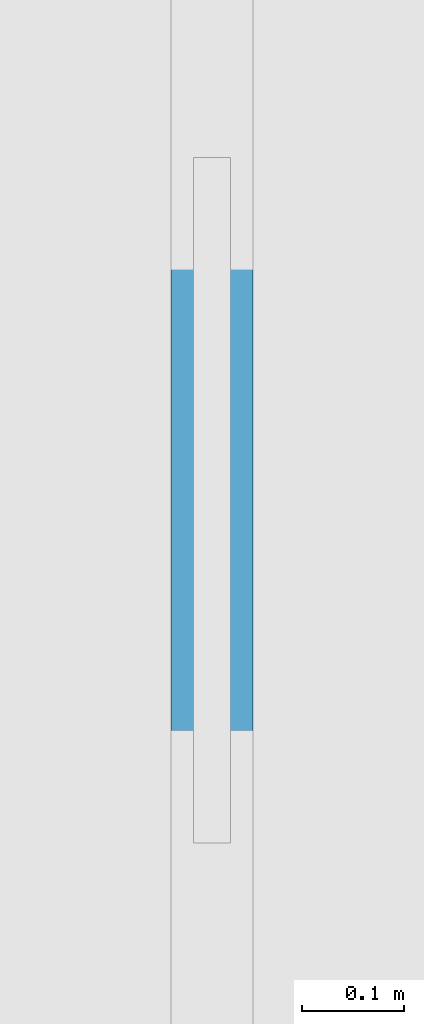
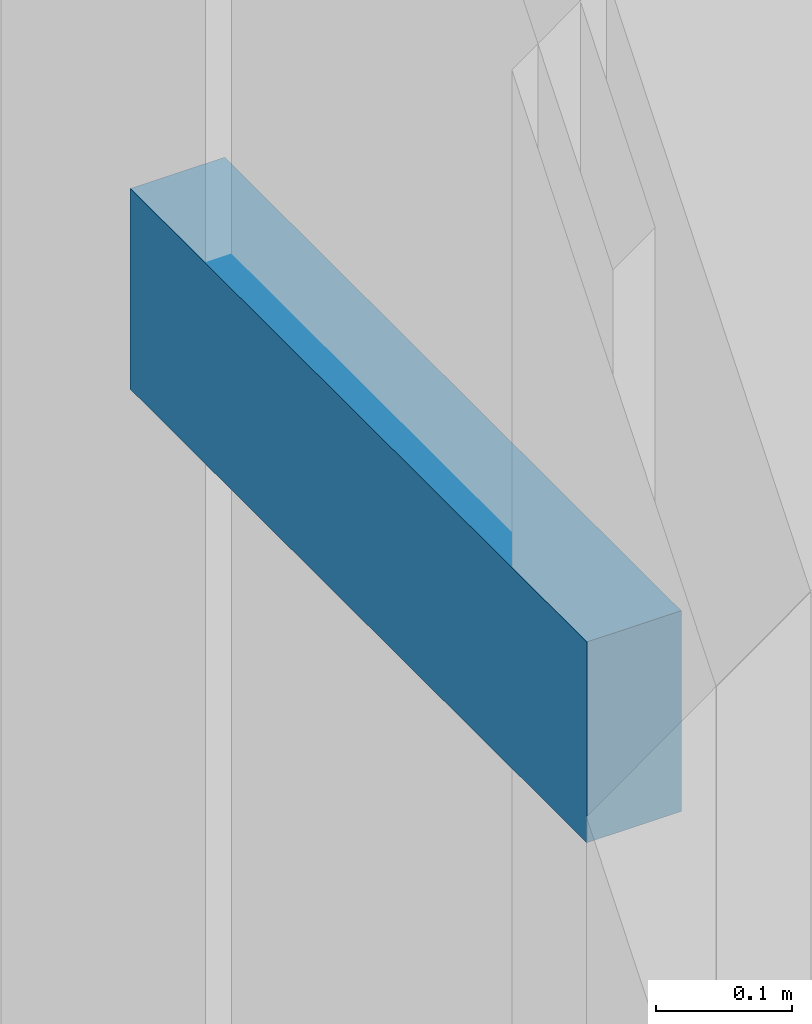
# One storey, part 13 of 47: 1 member, 1 element without a shape of its own.
"""IFC4 building model written with IfcOpenShell, lengths in metres."""

from ifc_helpers import new_model, si_unit, direction, frame, origin, origin_2d, place, context, subcontext, project, spatial, rectangle, extrude, material, material_profile, profile_set, type_object, element, aggregate, save


model = new_model("IFC4")

# Units and contexts
model_context = context("Model", 3, precision=1e-05, world=origin(), true_north=direction((0.0, 1.0)))
body_context = subcontext(model_context, "Body", "Model", "MODEL_VIEW")
ifc_project = project(units=[si_unit("LENGTHUNIT", "METRE"), si_unit("AREAUNIT", "SQUARE_METRE"), si_unit("VOLUMEUNIT", "CUBIC_METRE"), si_unit("PLANEANGLEUNIT", "RADIAN"), si_unit("MASSUNIT", "GRAM", prefix="KILO")], contexts=[model_context])

# Site, building, storey
site_placement = place(None, origin())
site = spatial("IfcSite", under=ifc_project, at=site_placement, CompositionType="ELEMENT")
building_placement = place(site_placement, origin())
building = spatial("IfcBuilding", under=site, at=building_placement, Name="Candeia Pilgrim Tower and Theatre", CompositionType="ELEMENT")
storey_placement = place(building_placement, frame((0.0, 0.0, 23.0)))
storey = spatial("IfcBuildingStorey", under=building, at=storey_placement, Name="L03", CompositionType="ELEMENT", Elevation=23.0)

# Curtain wall, member
ifc_material_1 = material(Name="Aluminium framed podium glazing", Category="aluminium")
curtain_wall_type = type_object("IfcCurtainWallType", Name="CW-P curtain wall", PredefinedType="NOTDEFINED", material=ifc_material_1)
curtain_wall_placement = place(storey_placement, origin())
curtain_wall = element("IfcCurtainWall", 1, at=curtain_wall_placement, inside=storey, type_object=curtain_wall_type, Name="Curtain wall CW-P L03.200", PredefinedType="NOTDEFINED")
ifc_material_2 = material(Name="Anodised aluminium", Category="aluminium")
ifc_material_profile = material_profile(ifc_material_2, rectangle(XDim=0.080078125, YDim=0.179931640625, at=origin_2d()))
ifc_profile_set = profile_set([ifc_material_profile], Name="Anodised aluminium")
member_type = type_object("IfcMemberType", Name="CW-P transom 80x180", PredefinedType="USERDEFINED", material=ifc_profile_set)
member_placement = place(storey_placement, frame((159.60009765625, 143.860107421875, 3.0), z_axis=(0.0, -1.0, 0.0), x_axis=(1.0, 0.0, 0.0)))
member = element("IfcMember", 2, at=member_placement, type_object=member_type, Name="CW-P transom 1.1", ObjectType="TRANSOM", PredefinedType="USERDEFINED", context=body_context, shape_type="SweptSolid", body=[
    extrude(rectangle(XDim=0.080078125, YDim=0.179931640625, at=origin_2d()), origin(), (0.0, 0.0, 1.0), 0.670166015625),
])
aggregate(curtain_wall, [member])

save(model, "model.ifc")
